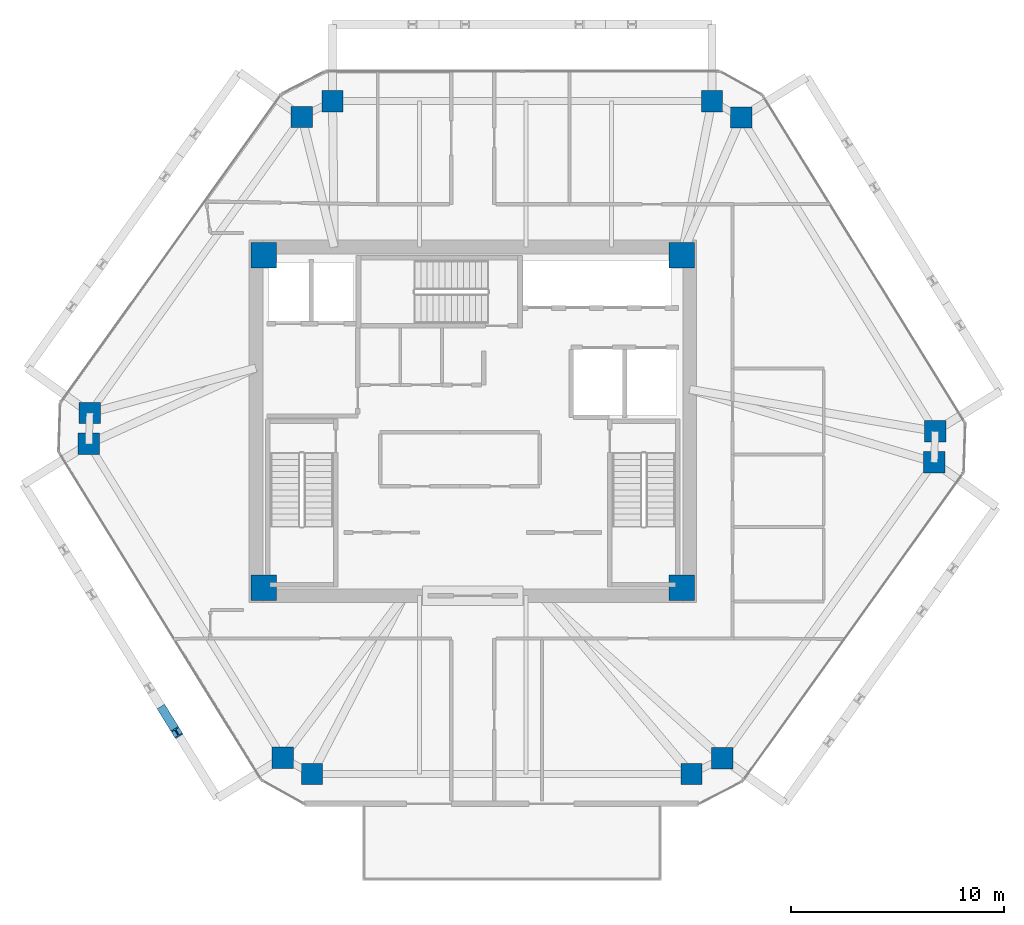
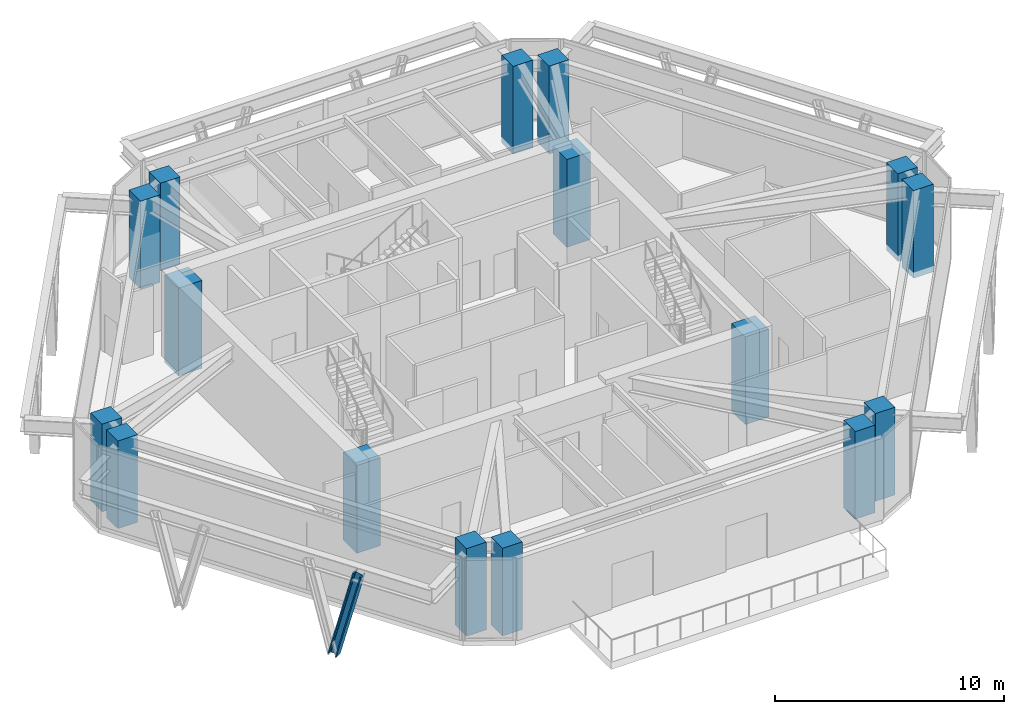
# One storey, part 1 of 12: 16 columns, 1 member.
"""IFC4 building model written with IfcOpenShell, lengths in metres."""

from ifc_helpers import new_model, si_unit, direction, frame, origin, origin_2d, place, context, subcontext, project, spatial, rectangle, i_section, extrude, source, transform, mapped, material, material_profile, profile_set, type_object, type_shapes, element, save


model = new_model("IFC4")

# Units and contexts
model_context = context("Model", 3, precision=1e-05, world=origin(), true_north=direction((0.0, 1.0)))
body_context = subcontext(model_context, "Body", "Model", "MODEL_VIEW")
ifc_project = project(units=[si_unit("LENGTHUNIT", "METRE"), si_unit("AREAUNIT", "SQUARE_METRE"), si_unit("VOLUMEUNIT", "CUBIC_METRE"), si_unit("PLANEANGLEUNIT", "RADIAN"), si_unit("MASSUNIT", "GRAM", prefix="KILO")], contexts=[model_context])

# Site, building, storey
site_placement = place(None, origin())
site = spatial("IfcSite", under=ifc_project, at=site_placement, CompositionType="ELEMENT")
building_placement = place(site_placement, origin())
building = spatial("IfcBuilding", under=site, at=building_placement, Name="Durnholm Broadcast Tower", CompositionType="ELEMENT")
storey_placement = place(building_placement, frame((0.0, 0.0, 162.60009765625)))
storey = spatial("IfcBuildingStorey", under=building, at=storey_placement, Name="L44", CompositionType="ELEMENT", Elevation=162.60009765625)

# Columns
ifc_material_1 = material(Name="Concrete C70/85", Category="concrete")
ifc_material_profile_1 = material_profile(ifc_material_1, rectangle(XDim=1.199951171875, YDim=1.199951171875, at=origin_2d()), Name="RC1200X1200")
ifc_profile_set_1 = profile_set([ifc_material_profile_1], Name="Concrete C70/85")
column_type_1 = type_object("IfcColumnType", Name="COL-CC-1200", PredefinedType="COLUMN", material=ifc_profile_set_1)
shared_shape_1 = source(origin(), body_context, "Body", "SweptSolid", [
    extrude(rectangle(XDim=1.199951171875, YDim=1.199951171875, at=origin_2d()), origin(), (0.0, 0.0, 1.0), 4.679931640625),
])
type_shapes(column_type_1, [shared_shape_1])
for number, where, z_axis, x_axis, name in (
    (1, (-9.800048828125, -7.800048828125, -0.320068359375), (0.0, 0.0, 1.0), (1.0, 0.0, 0.0), "L44 core corner column 1"),
    (2, (9.800048828125, -7.800048828125, -0.320068359375), (0.0, 0.0, 1.0), (1.0, 0.0, 0.0), "L44 core corner column 2"),
    (3, (9.800048828125, 7.800048828125, -0.320068359375), (0.0, 0.0, 1.0), (1.0, 0.0, 0.0), "L44 core corner column 3"),
    (4, (-9.800048828125, 7.800048828125, -0.320068359375), (0.0, 0.0, 1.0), (1.0, 0.0, 0.0), "L44 core corner column 4"),
):
    element("IfcColumn", number, at=place(storey_placement, frame(where, z_axis=z_axis, x_axis=x_axis)), inside=storey, type_object=column_type_1, Name=name, PredefinedType="COLUMN", context=body_context, shape_type="MappedRepresentation", body=[
        mapped(shared_shape_1, transform((0.0, 0.0, 0.0), x_axis=(1.0, 0.0, 0.0), y_axis=(0.0, 1.0, 0.0), z_axis=(0.0, 0.0, 1.0), scale=1.0)),
    ])
ifc_material_profile_2 = material_profile(ifc_material_1, rectangle(XDim=1.0, YDim=1.0, at=origin_2d()), Name="RC1000X1000")
ifc_profile_set_2 = profile_set([ifc_material_profile_2], Name="Concrete C70/85")
column_type_2 = type_object("IfcColumnType", Name="COL-CC-1000", PredefinedType="COLUMN", material=ifc_profile_set_2)
shared_shape_2 = source(origin(), body_context, "Body", "SweptSolid", [
    extrude(rectangle(XDim=1.0, YDim=1.0, at=origin_2d()), origin(), (0.0, 0.0, 1.0), 4.679931640625),
])
type_shapes(column_type_2, [shared_shape_2])
for number, where, z_axis, x_axis, name in (
    (5, (-8.91259765625, -15.7763671875, -0.320068359375), (0.0, 0.0, 1.0), (1.0, 0.0, 0.0), "L44 perimeter hexagonal tube column 01"),
    (6, (-18.009033203125, -1.056640625, -0.320068359375), (0.0, 0.0, 1.0), (1.0, 0.0, 0.0), "L44 perimeter hexagonal tube column 02"),
    (7, (-17.9599609375, 0.3955078125, -0.320068359375), (0.0, 0.0, 1.0), (1.0, 0.0, 0.0), "L44 perimeter hexagonal tube column 03"),
    (8, (-8.021728515625, 14.2763671875, -0.320068359375), (0.0, 0.0, 1.0), (1.0, 0.0, 0.0), "L44 perimeter hexagonal tube column 04"),
    (9, (-6.57861328125, 15.01806640625, -0.320068359375), (0.0, 0.0, 1.0), (1.0, 0.0, 0.0), "L44 perimeter hexagonal tube column 05"),
    (10, (11.217529296875, 15.01806640625, -0.320068359375), (0.0, 0.0, 1.0), (1.0, 0.0, 0.0), "L44 perimeter hexagonal tube column 06"),
    (11, (12.5908203125, 14.252197265625, -0.320068359375), (0.0, 0.0, 1.0), (1.0, 0.0, 0.0), "L44 perimeter hexagonal tube column 07"),
    (12, (21.68701171875, -0.46728515625, -0.320068359375), (0.0, 0.0, 1.0), (1.0, 0.0, 0.0), "L44 perimeter hexagonal tube column 08"),
    (13, (21.637939453125, -1.919677734375, -0.320068359375), (0.0, 0.0, 1.0), (1.0, 0.0, 0.0), "L44 perimeter hexagonal tube column 09"),
    (14, (11.69970703125, -15.80029296875, -0.320068359375), (0.0, 0.0, 1.0), (1.0, 0.0, 0.0), "L44 perimeter hexagonal tube column 10"),
    (15, (10.256591796875, -16.5419921875, -0.320068359375), (0.0, 0.0, 1.0), (1.0, 0.0, 0.0), "L44 perimeter hexagonal tube column 11"),
    (16, (-7.53955078125, -16.5419921875, -0.320068359375), (0.0, 0.0, 1.0), (1.0, 0.0, 0.0), "L44 perimeter hexagonal tube column 12"),
):
    element("IfcColumn", number, at=place(storey_placement, frame(where, z_axis=z_axis, x_axis=x_axis)), inside=storey, type_object=column_type_2, Name=name, PredefinedType="COLUMN", context=body_context, shape_type="MappedRepresentation", body=[
        mapped(shared_shape_2, transform((0.0, 0.0, 0.0), x_axis=(1.0, 0.0, 0.0), y_axis=(0.0, 1.0, 0.0), z_axis=(0.0, 0.0, 1.0), scale=1.0)),
    ])

# Member
ifc_material_2 = material(Name="Steel ASTM A913 Grade 65", Category="steel")
ifc_material_profile_3 = material_profile(ifc_material_2, i_section(OverallWidth=0.412109375, OverallDepth=0.434814453125, WebThickness=0.035888671875, FlangeThickness=0.057373046875, FilletRadius=0.030517578125, at=origin_2d()), Name="W14X311")
ifc_profile_set_3 = profile_set([ifc_material_profile_3], Name="Steel ASTM A913 Grade 65")
member_type = type_object("IfcMemberType", Name="STL-DG-W14X311", PredefinedType="BRACE", material=ifc_profile_set_3)
shared_shape_3 = source(origin(), body_context, "Body", "SweptSolid", [
    extrude(i_section(OverallWidth=0.412109375, OverallDepth=0.434814453125, WebThickness=0.035888671875, FlangeThickness=0.057373046875, FilletRadius=0.030517578125, at=origin_2d()), origin(), (0.0, 0.0, 1.0), 4.83984375),
])
type_shapes(member_type, [shared_shape_3])
member_placement = place(storey_placement, frame((-14.522216796875, -13.54736328125, -1.071533203125), z_axis=(0.134029350958, -0.21685817831, 0.966958460112), x_axis=(0.850644447398, 0.525741404219, 0.0)))
element("IfcMember", 17, at=member_placement, inside=storey, type_object=member_type, Name="L44 stand-off diagrid brace F6.D2.2", PredefinedType="BRACE", context=body_context, shape_type="MappedRepresentation", body=[
    mapped(shared_shape_3, transform((0.0, 0.0, 0.0), x_axis=(1.0, 0.0, 0.0), y_axis=(0.0, 1.0, 0.0), z_axis=(0.0, 0.0, 1.0), scale=1.0)),
])

save(model, "model.ifc")
